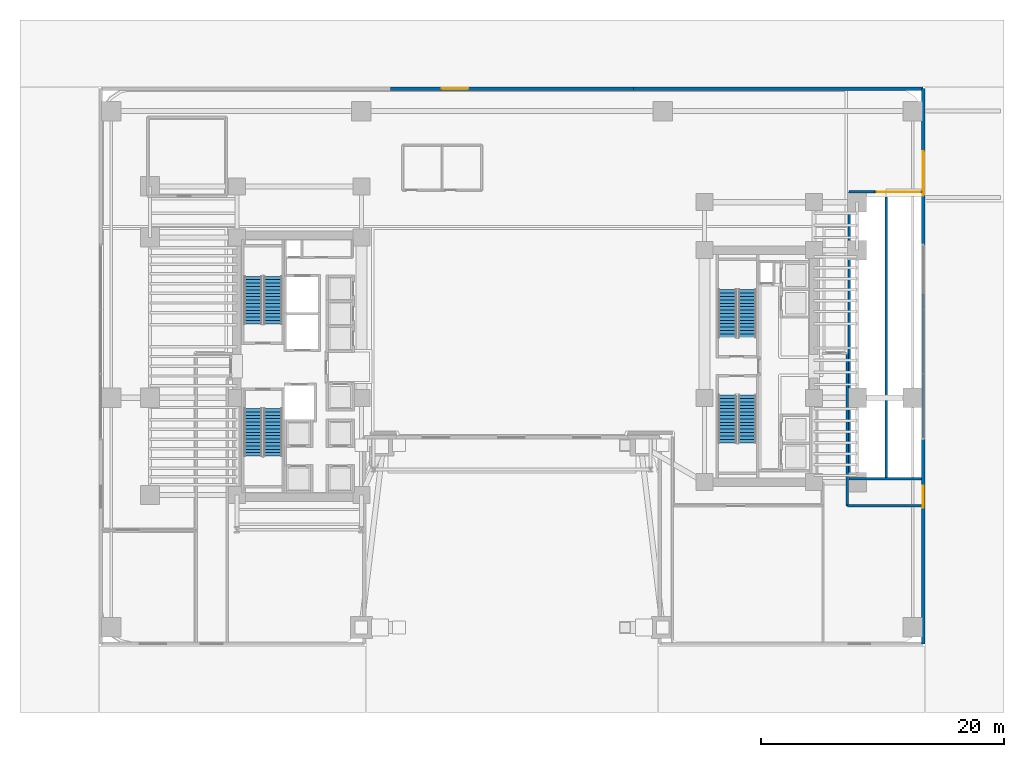
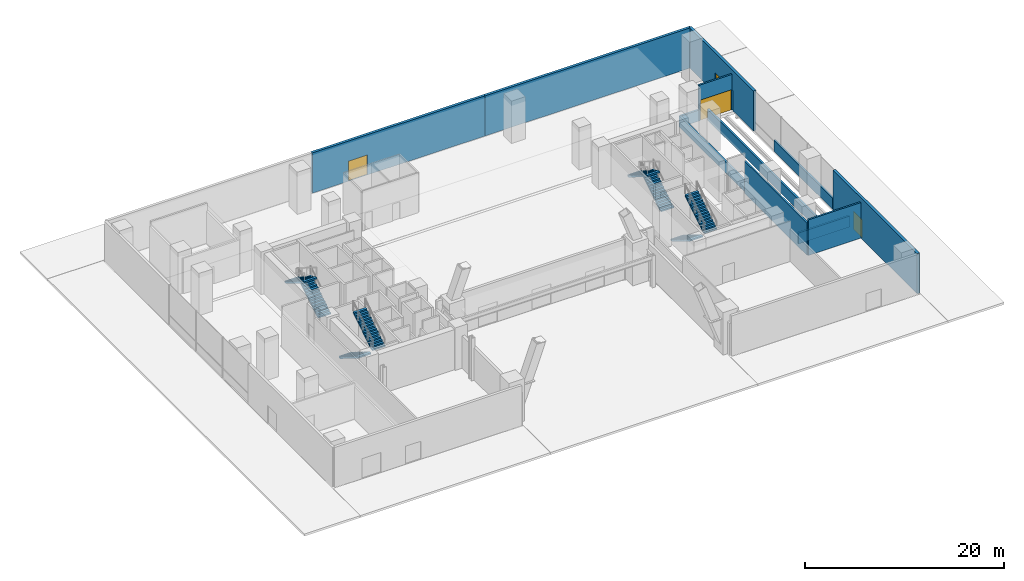
# One storey, part 19 of 27: 12 walls, 8 stair flights, 4 doors, 4 openings, 4 elements without a shape of their own.
"""IFC4 building model written with IfcOpenShell, lengths in metres."""

import ifcopenshell
import ifcopenshell.guid

model = None  # the IFC model being written
_history = None  # IfcOwnerHistory: only IFC2X3 demands one
_inside = {}  # id of a spatial element -> (the spatial element, [elements in it])
_under = {}  # id of a project, library or spatial element -> (it, [spatial elements below it])
_declared = {}  # id of a project -> (the project, [libraries it declares])
_typed = {}  # id of a type object -> (the type object, [elements of that type])
_made_of = {}  # id of a material, layer set ... -> (it, [elements and type objects made of it])


def new_model(schema):
    """Start an empty IFC model of exactly this schema.

    Asked for "IFC4X3", IfcOpenShell would pick the latest addendum, in which some entities
    have other attributes; the version numbers below select the first issue.
    IFC2X3 requires an IfcOwnerHistory on every rooted entity: one is made here for all.
    """
    global model, _history
    if schema == "IFC4X3":
        model = ifcopenshell.file(schema_version=(4, 3, 0, 0))
    else:
        model = ifcopenshell.file(schema=schema)
    _inside.clear()
    _under.clear()
    _declared.clear()
    _typed.clear()
    _made_of.clear()
    _history = None
    if model.schema == "IFC2X3":
        org = make("IfcOrganization", Name="unknown")
        user = make(
            "IfcPersonAndOrganization",
            ThePerson=make("IfcPerson", FamilyName="unknown"),
            TheOrganization=org,
        )
        app = make(
            "IfcApplication",
            ApplicationDeveloper=org,
            Version="unknown",
            ApplicationFullName="unknown",
            ApplicationIdentifier="unknown",
        )
        _history = make(
            "IfcOwnerHistory",
            OwningUser=user,
            OwningApplication=app,
            ChangeAction="ADDED",
            CreationDate=0,
        )
    return model


def make(cls, **values):
    """One entity of the class cls with the attributes given. An attribute that is None is left unset."""
    return model.create_entity(
        cls, **{name: value for name, value in values.items() if value is not None}
    )


def rooted(cls, **values):
    """An entity with a GlobalId (a new one), such as an element, a storey or a relation."""
    return make(cls, GlobalId=ifcopenshell.guid.new(), OwnerHistory=_history, **values)


def si_unit(unit_type, name, prefix=None):
    """IfcSIUnit, for example si_unit("LENGTHUNIT", "METRE", prefix="MILLI")."""
    return make("IfcSIUnit", UnitType=unit_type, Prefix=prefix, Name=name)


def assignment(units):
    """IfcUnitAssignment: the units of a project."""
    return None if units is None else make("IfcUnitAssignment", Units=units)


def point(xyz):
    """IfcCartesianPoint."""
    return None if xyz is None else make("IfcCartesianPoint", Coordinates=xyz)


def direction(xyz):
    """IfcDirection."""
    return None if xyz is None else make("IfcDirection", DirectionRatios=xyz)


def frame(location, z_axis=None, x_axis=None):
    """IfcAxis2Placement3D, a coordinate frame: its origin and axes. An axis left out is left unset."""
    return make(
        "IfcAxis2Placement3D",
        Location=point(location),
        Axis=direction(z_axis),
        RefDirection=direction(x_axis),
    )


def frame_2d(location, x_axis=None):
    """IfcAxis2Placement2D, a coordinate frame in the plane: its origin and x axis."""
    return make(
        "IfcAxis2Placement2D", Location=point(location), RefDirection=direction(x_axis)
    )


def origin():
    """The frame at (0, 0, 0) with its axes left unset."""
    return frame((0.0, 0.0, 0.0))


def place(relative_to, where):
    """IfcLocalPlacement: puts the frame where relative to a parent placement (None: the world)."""
    return make(
        "IfcLocalPlacement", PlacementRelTo=relative_to, RelativePlacement=where
    )


def context(
    kind, dimensions, precision=None, world=None, true_north=None, identifier=None
):
    """IfcGeometricRepresentationContext, for example the 3D "Model" context."""
    return make(
        "IfcGeometricRepresentationContext",
        ContextIdentifier=identifier,
        ContextType=kind,
        CoordinateSpaceDimension=dimensions,
        Precision=precision,
        WorldCoordinateSystem=world,
        TrueNorth=true_north,
    )


def subcontext(parent, identifier, kind, view, scale=None):
    """IfcGeometricRepresentationSubContext, for example "Body" below "Model"."""
    return make(
        "IfcGeometricRepresentationSubContext",
        ContextIdentifier=identifier,
        ContextType=kind,
        ParentContext=parent,
        TargetScale=scale,
        TargetView=view,
    )


def project(units=None, contexts=None):
    """IfcProject with its units and contexts."""
    return rooted(
        "IfcProject",
        Name="project",
        RepresentationContexts=contexts,
        UnitsInContext=assignment(units),
    )


def spatial(cls, under=None, at=None, **own):
    """A site, building, storey or space (cls), placed at a placement, below another one or the project."""
    s = rooted(cls, ObjectPlacement=at, **own)
    if under is not None:
        _under.setdefault(under.id(), (under, []))[1].append(s)
    return s


def polyline(points):
    """IfcPolyline through the points."""
    return make("IfcPolyline", Points=[point(p) for p in points])


def profile(cls, at=None, kind="AREA", **sizes):
    """A parametric profile (cls). Its sizes go by their IFC names, for example OverallWidth=200.0."""
    return make(cls, ProfileType=kind, Position=at, **sizes)


def rectangle(**sizes):
    """IfcRectangleProfileDef."""
    return profile("IfcRectangleProfileDef", **sizes)


def outline(outer, holes=None, kind="AREA"):
    """IfcArbitraryClosedProfileDef: a profile drawn as a closed curve; with holes, ...WithVoids."""
    if holes is None:
        return make("IfcArbitraryClosedProfileDef", ProfileType=kind, OuterCurve=outer)
    return make(
        "IfcArbitraryProfileDefWithVoids",
        ProfileType=kind,
        OuterCurve=outer,
        InnerCurves=holes,
    )


def extrude(swept, where, along, depth):
    """IfcExtrudedAreaSolid: the profile swept, set in the frame where, extruded along a direction by depth."""
    return make(
        "IfcExtrudedAreaSolid",
        SweptArea=swept,
        Position=where,
        ExtrudedDirection=direction(along),
        Depth=depth,
    )


def shape(context_of_items, identifier, shape_type, items):
    """IfcShapeRepresentation: the items that make up one representation, for example the "Body"."""
    return make(
        "IfcShapeRepresentation",
        ContextOfItems=context_of_items,
        RepresentationIdentifier=identifier,
        RepresentationType=shape_type,
        Items=items,
    )


def material(Name=None, Category=None):
    """IfcMaterial."""
    return make("IfcMaterial", Name=Name, Category=Category)


def layer(
    of_material, thickness, ventilated=None, Name=None, Category=None, Priority=None
):
    """IfcMaterialLayer: one layer of a wall or slab, of a material (None: an air gap)."""
    return make(
        "IfcMaterialLayer",
        Material=of_material,
        LayerThickness=thickness,
        IsVentilated=ventilated,
        Name=Name,
        Category=Category,
        Priority=Priority,
    )


def layer_set(layers, Name=None):
    """IfcMaterialLayerSet."""
    return make("IfcMaterialLayerSet", MaterialLayers=layers, LayerSetName=Name)


def made_of(thing, what):
    """Note that an element or type object is made of a material, layer set ...; save() writes the relation."""
    if what is not None:
        _made_of.setdefault(what.id(), (what, []))[1].append(thing)
    return thing


def type_object(cls, material=None, **own):
    """A type object (cls), such as IfcWallType, which elements share."""
    return made_of(rooted(cls, **own), material)


def element(
    cls,
    number,
    at=None,
    inside=None,
    cuts=None,
    type_object=None,
    material=None,
    context=None,
    identifier="Body",
    shape_type=None,
    held_by="IfcProductDefinitionShape",
    body=None,
    shapes=None,
    **own,
):
    """One element of the class cls, such as IfcWall. Its Tag is "e" and its number.

    at: its placement. inside: the storey or other place that contains it. cuts: it is an
    opening in that element (IfcRelVoidsElement). A single representation is given by context,
    identifier, shape_type and body (its items); several are given by shapes. held_by: the class
    of the entity that holds the representations. save() writes the other relations.
    """
    e = rooted(cls, Tag="e%d" % number, ObjectPlacement=at, **own)
    if body is not None:
        shapes = [shape(context, identifier, shape_type, body)]
    if shapes is not None:
        e.Representation = make(held_by, Representations=shapes)
    if inside is not None:
        _inside.setdefault(inside.id(), (inside, []))[1].append(e)
    if cuts is not None:
        rooted(
            "IfcRelVoidsElement", RelatingBuildingElement=cuts, RelatedOpeningElement=e
        )
    if type_object is not None:
        _typed.setdefault(type_object.id(), (type_object, []))[1].append(e)
    return made_of(e, material)


def fill(opening, filler):
    """IfcRelFillsElement: the door or window that sits in an opening."""
    return rooted(
        "IfcRelFillsElement",
        RelatingOpeningElement=opening,
        RelatedBuildingElement=filler,
    )


def aggregate(whole, parts):
    """IfcRelAggregates: a whole, such as a stair, and the parts it consists of."""
    return rooted("IfcRelAggregates", RelatingObject=whole, RelatedObjects=parts)


def save(model, path):
    """Write the relations noted so far, then the file.

    IfcRelAggregates (storeys below a building ...), IfcRelContainedInSpatialStructure (elements
    in a storey), IfcRelDefinesByType, IfcRelAssociatesMaterial and IfcRelDeclares: one each for
    every whole, place, type object, material and project.
    """
    for whole, parts in _under.values():
        aggregate(whole, parts)
    for where, things in _inside.values():
        rooted(
            "IfcRelContainedInSpatialStructure",
            RelatedElements=things,
            RelatingStructure=where,
        )
    for kind, things in _typed.values():
        rooted("IfcRelDefinesByType", RelatedObjects=things, RelatingType=kind)
    for what, things in _made_of.values():
        rooted("IfcRelAssociatesMaterial", RelatedObjects=things, RelatingMaterial=what)
    for by, libraries in _declared.values():
        rooted("IfcRelDeclares", RelatingContext=by, RelatedDefinitions=libraries)
    model.write(path)


model = new_model("IFC4")

# Units and contexts
model_context = context("Model", 3, precision=1e-05, world=origin(), true_north=direction((0.0, 1.0)))
body_context = subcontext(model_context, "Body", "Model", "MODEL_VIEW")
ifc_project = project(units=[si_unit("LENGTHUNIT", "METRE"), si_unit("AREAUNIT", "SQUARE_METRE"), si_unit("VOLUMEUNIT", "CUBIC_METRE"), si_unit("PLANEANGLEUNIT", "RADIAN"), si_unit("MASSUNIT", "GRAM", prefix="KILO")], contexts=[model_context])

# Site, building, storey
site_placement = place(None, origin())
site = spatial("IfcSite", under=ifc_project, at=site_placement, CompositionType="ELEMENT")
building_placement = place(site_placement, origin())
building = spatial("IfcBuilding", under=site, at=building_placement, Name="Valdorenza Pilgrim Sanctuary Tower", CompositionType="ELEMENT")
storey_placement = place(building_placement, origin())
storey = spatial("IfcBuildingStorey", under=building, at=storey_placement, Name="L00", CompositionType="ELEMENT", Elevation=0.0)

# Wall, opening, door
ifc_material_1 = material(Name="Honed travertine limestone", Category="masonry")
ifc_layer_1 = layer(ifc_material_1, 0.300048828125, Name="Honed travertine limestone")
ifc_layer_set_1 = layer_set([ifc_layer_1], Name="Honed travertine limestone")
wall_type_1 = type_object("IfcWallType", Name="WAL-EXT-300", PredefinedType="SOLIDWALL", material=ifc_layer_set_1)
wall_1_placement = place(storey_placement, frame((33.85009765625, -22.85009765625, 0.0), z_axis=(0.0, 0.0, 1.0), x_axis=(0.0, 1.0, 0.0)))
wall_1 = element("IfcWall", 1, at=wall_1_placement, inside=storey, type_object=wall_type_1, Name="L00 Podium Honed Travertine Stone Wall E-S", PredefinedType="SOLIDWALL", context=body_context, shape_type="SweptSolid", body=[
    extrude(rectangle(XDim=16.8701171875, YDim=0.300048828125, at=frame_2d((8.43505859375, 0.0))), origin(), (0.0, 0.0, 1.0), 4.919921875),
])
opening_1_placement = place(wall_1_placement, frame((11.199951171875, 0.0, 0.0)))
opening_1 = element("IfcOpeningElement", 2, at=opening_1_placement, cuts=wall_1, Name="Opening D-EXP-01", PredefinedType="OPENING", context=body_context, shape_type="SweptSolid", body=[
    extrude(rectangle(XDim=1.800048828125, YDim=2.199951171875, at=frame_2d((0.89990234375, 1.10009765625))), frame((0.0, 0.1650390625, 0.0), z_axis=(0.0, -1.0, 0.0), x_axis=(1.0, 0.0, 0.0)), (0.0, 0.0, 1.0), 0.329833984375),
])
ifc_material_2 = material(Name="Painted galvanized steel", Category="steel")
door_type_1 = type_object("IfcDoorType", Name="DR-EXT-ESC-1800", OperationType="NOTDEFINED", PredefinedType="DOOR", material=ifc_material_2)
door_1_placement = place(opening_1_placement, frame((1.800048828125, 0.0, 0.0), z_axis=(0.0, 0.0, 1.0), x_axis=(-1.0, 0.0, 0.0)))
door_1 = element("IfcDoor", 3, at=door_1_placement, inside=storey, type_object=door_type_1, Name="L00 East Concourse Final Exit Door", OperationType="SINGLE_SWING_LEFT", OverallHeight=2.199951171875, OverallWidth=1.800048828125, PredefinedType="DOOR", context=body_context, shape_type="SweptSolid", body=[
    extrude(rectangle(XDim=1.800048828125, YDim=2.199951171875, at=frame_2d((0.89990234375, 1.10009765625))), frame((0.0, 0.02490234375, 0.0), z_axis=(0.0, -1.0, 0.0), x_axis=(1.0, 0.0, 0.0)), (0.0, 0.0, 1.0), 0.050048828125),
])
fill(opening_1, door_1)

wall_2_placement = place(storey_placement, frame((33.85009765625, 9.97998046875, 0.0), z_axis=(0.0, 0.0, 1.0), x_axis=(0.0, 1.0, 0.0)))
wall_2 = element("IfcWall", 4, at=wall_2_placement, inside=storey, type_object=wall_type_1, Name="L00 Podium Honed Travertine Stone Wall E-N", PredefinedType="SOLIDWALL", context=body_context, shape_type="SweptSolid", body=[
    extrude(rectangle(XDim=12.8701171875, YDim=0.300048828125, at=frame_2d((6.43505859375, 0.0))), origin(), (0.0, 0.0, 1.0), 4.919921875),
])
opening_2_placement = place(wall_2_placement, frame((4.10009765625, 0.0, 0.0)))
opening_2 = element("IfcOpeningElement", 5, at=opening_2_placement, cuts=wall_2, Name="Opening VG-01", PredefinedType="OPENING", context=body_context, shape_type="SweptSolid", body=[
    extrude(rectangle(XDim=3.60009765625, YDim=2.5, at=frame_2d((1.800048828125, 1.25))), frame((0.0, 0.1650390625, 0.0), z_axis=(0.0, -1.0, 0.0), x_axis=(1.0, 0.0, 0.0)), (0.0, 0.0, 1.0), 0.329833984375),
])
ifc_material_3 = material(Name="Champagne anodised aluminium", Category="aluminium")
door_type_2 = type_object("IfcDoorType", Name="DR-VEH-GATE", OperationType="ROLLINGUP", PredefinedType="GATE", material=ifc_material_3)
door_2_placement = place(opening_2_placement, origin())
door_2 = element("IfcDoor", 6, at=door_2_placement, inside=storey, type_object=door_type_2, Name="L00 Car Park Ramp Roller Gate VG-01", OperationType="ROLLINGUP", OverallHeight=2.5, OverallWidth=3.60009765625, PredefinedType="GATE", context=body_context, shape_type="SweptSolid", body=[
    extrude(rectangle(XDim=3.60009765625, YDim=2.5, at=frame_2d((1.800048828125, 1.25))), frame((0.0, 0.02490234375, 0.0), z_axis=(0.0, -1.0, 0.0), x_axis=(1.0, 0.0, 0.0)), (0.0, 0.0, 1.0), 0.050048828125),
])
fill(opening_2, door_2)

# Wall
wall_3_placement = place(storey_placement, frame((9.97998046875, 22.85009765625, 0.0), z_axis=(0.0, 0.0, 1.0), x_axis=(1.0, 0.0, 0.0)))
element("IfcWall", 7, at=wall_3_placement, inside=storey, type_object=wall_type_1, Name="L00 Podium Honed Travertine Stone Wall N-E", PredefinedType="SOLIDWALL", context=body_context, shape_type="SweptSolid", body=[
    extrude(rectangle(XDim=23.8701171875, YDim=0.300048828125, at=frame_2d((11.93505859375, 0.0))), origin(), (0.0, 0.0, 1.0), 4.919921875),
])

# Wall, opening, door
wall_4_placement = place(storey_placement, frame((-10.0, 22.85009765625, 0.0), z_axis=(0.0, 0.0, 1.0), x_axis=(1.0, 0.0, 0.0)))
wall_4 = element("IfcWall", 8, at=wall_4_placement, inside=storey, type_object=wall_type_1, Name="L00 North Plaza Entrance Stone Wall", PredefinedType="SOLIDWALL", context=body_context, shape_type="SweptSolid", body=[
    extrude(rectangle(XDim=20.0, YDim=0.300048828125, at=frame_2d((10.0, 0.0))), origin(), (0.0, 0.0, 1.0), 4.919921875),
])
opening_3_placement = place(wall_4_placement, frame((4.199951171875, 0.0, 0.0)))
opening_3 = element("IfcOpeningElement", 9, at=opening_3_placement, cuts=wall_4, Name="Opening D-LOB-N-MID-1", PredefinedType="OPENING", context=body_context, shape_type="SweptSolid", body=[
    extrude(rectangle(XDim=2.199951171875, YDim=2.449951171875, at=frame_2d((1.10009765625, 1.22509765625))), frame((0.0, 0.1650390625, 0.0), z_axis=(0.0, -1.0, 0.0), x_axis=(1.0, 0.0, 0.0)), (0.0, 0.0, 1.0), 0.329833984375),
])
ifc_material_4 = material(Name="Champagne anodised aluminium and glass", Category="aluminium")
door_type_3 = type_object("IfcDoorType", Name="DR-EXT-DBL-2200", OperationType="NOTDEFINED", PredefinedType="DOOR", material=ifc_material_4)
door_3_placement = place(opening_3_placement, origin())
door_3 = element("IfcDoor", 10, at=door_3_placement, inside=storey, type_object=door_type_3, Name="L00 North Concourse Entrance Door", OperationType="SINGLE_SWING_LEFT", OverallHeight=2.449951171875, OverallWidth=2.199951171875, PredefinedType="DOOR", context=body_context, shape_type="SweptSolid", body=[
    extrude(rectangle(XDim=2.199951171875, YDim=2.449951171875, at=frame_2d((1.10009765625, 1.22509765625))), frame((0.0, 0.02490234375, 0.0), z_axis=(0.0, -1.0, 0.0), x_axis=(1.0, 0.0, 0.0)), (0.0, 0.0, 1.0), 0.050048828125),
])
fill(opening_3, door_3)

# Walls
ifc_material_5 = material(Name="Gypsum shaftwall partition", Category="gypsum")
ifc_layer_2 = layer(ifc_material_5, 0.199951171875, Name="Gypsum shaftwall partition")
ifc_layer_set_2 = layer_set([ifc_layer_2], Name="Gypsum shaftwall partition")
wall_type_2 = type_object("IfcWallType", Name="WAL-FFL-200", PredefinedType="PARTITIONING", material=ifc_layer_set_2)
wall_5_placement = place(storey_placement, frame((27.60009765625, -11.5, 0.0), z_axis=(0.0, 0.0, 1.0), x_axis=(0.0, 1.0, 0.0)))
element("IfcWall", 11, at=wall_5_placement, inside=storey, type_object=wall_type_2, Name="L00 Core B Protected Exit Passage Inner East Wall", PredefinedType="PARTITIONING", context=body_context, shape_type="SweptSolid", body=[
    extrude(rectangle(XDim=12.550048828125, YDim=0.199951171875, at=frame_2d((6.27490234375, 0.0))), origin(), (0.0, 0.0, 1.0), 3.95703125),
])
wall_6_placement = place(storey_placement, frame((27.60009765625, -11.5, 0.0), z_axis=(0.0, 0.0, 1.0), x_axis=(1.0, 0.0, 0.0)))
element("IfcWall", 12, at=wall_6_placement, inside=storey, type_object=wall_type_2, Name="L00 Core B Protected Exit Passage South-East Shoulder Wall", PredefinedType="PARTITIONING", context=body_context, shape_type="SweptSolid", body=[
    extrude(rectangle(XDim=6.199951171875, YDim=0.199951171875, at=frame_2d((3.10009765625, 0.0))), origin(), (0.0, 0.0, 1.0), 4.35595703125),
])
ifc_layer_3 = layer(ifc_material_1, 0.25, Name="Honed travertine limestone")
ifc_layer_set_3 = layer_set([ifc_layer_3], Name="Honed travertine limestone")
wall_type_3 = type_object("IfcWallType", Name="WAL-PAR-250", PredefinedType="PARAPET", material=ifc_layer_set_3)
wall_7_placement = place(storey_placement, frame((27.75, -9.25, 0.0), z_axis=(0.0, 0.0, 1.0), x_axis=(0.0, 1.0, 0.0)))
element("IfcWall", 13, at=wall_7_placement, inside=storey, type_object=wall_type_3, Name="L00 Vehicle Ramp Shaft Safety Wall W", PredefinedType="PARAPET", context=body_context, shape_type="SweptSolid", body=[
    extrude(rectangle(XDim=23.60009765625, YDim=0.219970703125, at=frame_2d((11.800048828125, 0.0))), origin(), (0.0, 0.0, 1.0), 1.35009765625),
])
wall_8_placement = place(storey_placement, frame((33.85009765625, -5.85009765625, 0.0), z_axis=(0.0, 0.0, 1.0), x_axis=(0.0, 1.0, 0.0)))
element("IfcWall", 14, at=wall_8_placement, inside=storey, type_object=wall_type_3, Name="L00 Vehicle Ramp Shaft Safety Wall E", PredefinedType="PARAPET", context=body_context, shape_type="SweptSolid", body=[
    extrude(rectangle(XDim=11.800048828125, YDim=0.219970703125, at=frame_2d((5.89990234375, 0.0))), origin(), (0.0, 0.0, 1.0), 1.35009765625),
])
wall_9_placement = place(storey_placement, frame((27.75, -9.25, 0.0), z_axis=(0.0, 0.0, 1.0), x_axis=(1.0, 0.0, 0.0)))
element("IfcWall", 15, at=wall_9_placement, inside=storey, type_object=wall_type_3, Name="L00 Vehicle Ramp Shaft Safety Wall S", PredefinedType="PARAPET", context=body_context, shape_type="SweptSolid", body=[
    extrude(rectangle(XDim=5.949951171875, YDim=0.219970703125, at=frame_2d((2.97509765625, 0.0))), origin(), (0.0, 0.0, 1.0), 1.35009765625),
])
wall_10_placement = place(storey_placement, frame((27.75, 14.35009765625, 0.0), z_axis=(0.0, 0.0, 1.0), x_axis=(1.0, 0.0, 0.0)))
element("IfcWall", 16, at=wall_10_placement, inside=storey, type_object=wall_type_3, Name="L00 Vehicle Ramp Shaft Safety Wall NW", PredefinedType="PARAPET", context=body_context, shape_type="SweptSolid", body=[
    extrude(rectangle(XDim=2.10009765625, YDim=0.219970703125, at=frame_2d((1.050048828125, 0.0))), origin(), (0.0, 0.0, 1.0), 1.35009765625),
])
wall_11_placement = place(storey_placement, frame((30.800048828125, -9.25, 0.0), z_axis=(0.0, 0.0, 1.0), x_axis=(0.0, 1.0, 0.0)))
element("IfcWall", 17, at=wall_11_placement, inside=storey, type_object=wall_type_3, Name="L00 Vehicle Ramp Shaft Safety Wall MID", PredefinedType="PARAPET", context=body_context, shape_type="SweptSolid", body=[
    extrude(rectangle(XDim=23.199951171875, YDim=0.219970703125, at=frame_2d((11.60009765625, 0.0))), origin(), (0.0, 0.0, 1.0), 1.35009765625),
])

# Wall, opening, door
ifc_material_6 = material(Name="Autoclaved aerated concrete blockwork", Category="masonry")
ifc_layer_4 = layer(ifc_material_6, 0.199951171875, Name="Autoclaved aerated concrete blockwork")
ifc_layer_set_4 = layer_set([ifc_layer_4], Name="Autoclaved aerated concrete blockwork")
wall_type_4 = type_object("IfcWallType", Name="WAL-SHF-200", PredefinedType="MOVABLE", material=ifc_layer_set_4)
wall_12_placement = place(storey_placement, frame((29.85009765625, 14.35009765625, 0.0), z_axis=(0.0, 0.0, 1.0), x_axis=(1.0, 0.0, 0.0)))
wall_12 = element("IfcWall", 18, at=wall_12_placement, inside=storey, type_object=wall_type_4, Name="L00 L00 Car Park Ramp Arrival Portal Wall", PredefinedType="MOVABLE", context=body_context, shape_type="SweptSolid", body=[
    extrude(rectangle(XDim=3.949951171875, YDim=0.199951171875, at=frame_2d((1.97509765625, 0.0))), origin(), (0.0, 0.0, 1.0), 4.35595703125),
])
opening_4_placement = place(wall_12_placement, frame((0.175048828125, 0.0, 0.0)))
opening_4 = element("IfcOpeningElement", 19, at=opening_4_placement, cuts=wall_12, Name="Opening VG-01", PredefinedType="OPENING", context=body_context, shape_type="SweptSolid", body=[
    extrude(rectangle(XDim=3.60009765625, YDim=2.5, at=frame_2d((1.800048828125, 1.25))), frame((0.0, 0.11474609375, 0.0), z_axis=(0.0, -1.0, 0.0), x_axis=(1.0, 0.0, 0.0)), (0.0, 0.0, 1.0), 0.229736328125),
])
door_4_placement = place(opening_4_placement, origin())
door_4 = element("IfcDoor", 20, at=door_4_placement, inside=storey, type_object=door_type_2, Name="L00 Car Park Ramp Arrival Portal Gate VG-01", OperationType="ROLLINGUP", OverallHeight=2.5, OverallWidth=3.60009765625, PredefinedType="GATE", context=body_context, shape_type="SweptSolid", body=[
    extrude(rectangle(XDim=3.60009765625, YDim=2.5, at=frame_2d((1.800048828125, 1.25))), frame((0.0, 0.02490234375, 0.0), z_axis=(0.0, -1.0, 0.0), x_axis=(1.0, 0.0, 0.0)), (0.0, 0.0, 1.0), 0.050048828125),
])
fill(opening_4, door_4)

# Stair, stair flights
ifc_material_7 = material(Name="Concrete C40/50", Category="concrete")
stair_type = type_object("IfcStairType", Name="STR-DOG-CORE", PredefinedType="HALF_TURN_STAIR", material=ifc_material_7)
stair_1_placement = place(storey_placement, origin())
stair_1 = element("IfcStair", 21, at=stair_1_placement, inside=storey, type_object=stair_type, Name="L00 ST-A1", PredefinedType="HALF_TURN_STAIR")
stair_flight_type = type_object("IfcStairFlightType", Name="STF-RC-1400", PredefinedType="STRAIGHT", material=ifc_material_7)
stair_flight_1_placement = place(storey_placement, frame((-19.679931640625, 3.47998046875, 0.0), z_axis=(0.0, 0.0, 1.0), x_axis=(0.0, 1.0, 0.0)))
stair_flight_1 = element("IfcStairFlight", 22, at=stair_flight_1_placement, type_object=stair_flight_type, Name="ST-A1 flight 1", NumberOfRisers=15, NumberOfTreads=14, PredefinedType="STRAIGHT", RiserHeight=0.173333333, TreadLength=0.28, context=body_context, shape_type="SweptSolid", body=[
    extrude(outline(polyline([(0.0, 0.0), (0.0, 0.17333984375), (0.280029296875, 0.17333984375), (0.280029296875, 0.3466796875), (0.56005859375, 0.3466796875), (0.56005859375, 0.52001953125), (0.840087890625, 0.52001953125), (0.840087890625, 0.693359375), (1.1201171875, 0.693359375), (1.1201171875, 0.86669921875), (1.39990234375, 0.86669921875), (1.39990234375, 1.0400390625), (1.679931640625, 1.0400390625), (1.679931640625, 1.21337890625), (1.9599609375, 1.21337890625), (1.9599609375, 1.38671875), (2.239990234375, 1.38671875), (2.239990234375, 1.56005859375), (2.52001953125, 1.56005859375), (2.52001953125, 1.7333984375), (2.800048828125, 1.7333984375), (2.800048828125, 1.90673828125), (3.080078125, 1.90673828125), (3.080078125, 2.080078125), (3.360107421875, 2.080078125), (3.360107421875, 2.25341796875), (3.639892578125, 2.25341796875), (3.639892578125, 2.4267578125), (3.919921875, 2.4267578125), (3.919921875, 2.60009765625), (3.919921875, 2.250244140625), (0.284912109375, 0.0), (0.0, 0.0)])), frame((0.0, 0.739990234375, 0.0), z_axis=(0.0, -1.0, 0.0), x_axis=(1.0, 0.0, 0.0)), (0.0, 0.0, 1.0), 1.47998046875),
])
stair_flight_2_placement = place(storey_placement, frame((-21.31005859375, 7.39990234375, 2.60009765625), z_axis=(0.0, 0.0, 1.0), x_axis=(0.0, -1.0, 0.0)))
stair_flight_2 = element("IfcStairFlight", 23, at=stair_flight_2_placement, type_object=stair_flight_type, Name="ST-A1 flight 2", NumberOfRisers=15, NumberOfTreads=14, PredefinedType="STRAIGHT", RiserHeight=0.173333333, TreadLength=0.28, context=body_context, shape_type="SweptSolid", body=[
    extrude(outline(polyline([(0.0, 0.0), (0.0, 0.17333984375), (0.280029296875, 0.17333984375), (0.280029296875, 0.3466796875), (0.56005859375, 0.3466796875), (0.56005859375, 0.52001953125), (0.840087890625, 0.52001953125), (0.840087890625, 0.693359375), (1.1201171875, 0.693359375), (1.1201171875, 0.86669921875), (1.39990234375, 0.86669921875), (1.39990234375, 1.0400390625), (1.679931640625, 1.0400390625), (1.679931640625, 1.21337890625), (1.9599609375, 1.21337890625), (1.9599609375, 1.38671875), (2.239990234375, 1.38671875), (2.239990234375, 1.56005859375), (2.52001953125, 1.56005859375), (2.52001953125, 1.7333984375), (2.800048828125, 1.7333984375), (2.800048828125, 1.90673828125), (3.080078125, 1.90673828125), (3.080078125, 2.080078125), (3.360107421875, 2.080078125), (3.360107421875, 2.25341796875), (3.639892578125, 2.25341796875), (3.639892578125, 2.4267578125), (3.919921875, 2.4267578125), (3.919921875, 2.60009765625), (3.919921875, 2.250244140625), (0.284912109375, 0.0), (0.0, 0.0)])), frame((0.0, 0.739990234375, 0.0), z_axis=(0.0, -1.0, 0.0), x_axis=(1.0, 0.0, 0.0)), (0.0, 0.0, 1.0), 1.47998046875),
])
aggregate(stair_1, [stair_flight_1, stair_flight_2])

stair_2_placement = place(storey_placement, origin())
stair_2 = element("IfcStair", 24, at=stair_2_placement, inside=storey, type_object=stair_type, Name="L00 ST-A2", PredefinedType="HALF_TURN_STAIR")
stair_flight_3_placement = place(storey_placement, frame((-21.31005859375, -3.47998046875, 0.0), z_axis=(0.0, 0.0, 1.0), x_axis=(0.0, -1.0, 0.0)))
stair_flight_3 = element("IfcStairFlight", 25, at=stair_flight_3_placement, type_object=stair_flight_type, Name="ST-A2 flight 1", NumberOfRisers=15, NumberOfTreads=14, PredefinedType="STRAIGHT", RiserHeight=0.173333333, TreadLength=0.28, context=body_context, shape_type="SweptSolid", body=[
    extrude(outline(polyline([(0.0, 0.0), (0.0, 0.17333984375), (0.280029296875, 0.17333984375), (0.280029296875, 0.3466796875), (0.56005859375, 0.3466796875), (0.56005859375, 0.52001953125), (0.840087890625, 0.52001953125), (0.840087890625, 0.693359375), (1.1201171875, 0.693359375), (1.1201171875, 0.86669921875), (1.39990234375, 0.86669921875), (1.39990234375, 1.0400390625), (1.679931640625, 1.0400390625), (1.679931640625, 1.21337890625), (1.9599609375, 1.21337890625), (1.9599609375, 1.38671875), (2.239990234375, 1.38671875), (2.239990234375, 1.56005859375), (2.52001953125, 1.56005859375), (2.52001953125, 1.7333984375), (2.800048828125, 1.7333984375), (2.800048828125, 1.90673828125), (3.080078125, 1.90673828125), (3.080078125, 2.080078125), (3.360107421875, 2.080078125), (3.360107421875, 2.25341796875), (3.639892578125, 2.25341796875), (3.639892578125, 2.4267578125), (3.919921875, 2.4267578125), (3.919921875, 2.60009765625), (3.919921875, 2.250244140625), (0.284912109375, 0.0), (0.0, 0.0)])), frame((0.0, 0.739990234375, 0.0), z_axis=(0.0, -1.0, 0.0), x_axis=(1.0, 0.0, 0.0)), (0.0, 0.0, 1.0), 1.47998046875),
])
stair_flight_4_placement = place(storey_placement, frame((-19.679931640625, -7.39990234375, 2.60009765625), z_axis=(0.0, 0.0, 1.0), x_axis=(0.0, 1.0, 0.0)))
stair_flight_4 = element("IfcStairFlight", 26, at=stair_flight_4_placement, type_object=stair_flight_type, Name="ST-A2 flight 2", NumberOfRisers=15, NumberOfTreads=14, PredefinedType="STRAIGHT", RiserHeight=0.173333333, TreadLength=0.28, context=body_context, shape_type="SweptSolid", body=[
    extrude(outline(polyline([(0.0, 0.0), (0.0, 0.17333984375), (0.280029296875, 0.17333984375), (0.280029296875, 0.3466796875), (0.56005859375, 0.3466796875), (0.56005859375, 0.52001953125), (0.840087890625, 0.52001953125), (0.840087890625, 0.693359375), (1.1201171875, 0.693359375), (1.1201171875, 0.86669921875), (1.39990234375, 0.86669921875), (1.39990234375, 1.0400390625), (1.679931640625, 1.0400390625), (1.679931640625, 1.21337890625), (1.9599609375, 1.21337890625), (1.9599609375, 1.38671875), (2.239990234375, 1.38671875), (2.239990234375, 1.56005859375), (2.52001953125, 1.56005859375), (2.52001953125, 1.7333984375), (2.800048828125, 1.7333984375), (2.800048828125, 1.90673828125), (3.080078125, 1.90673828125), (3.080078125, 2.080078125), (3.360107421875, 2.080078125), (3.360107421875, 2.25341796875), (3.639892578125, 2.25341796875), (3.639892578125, 2.4267578125), (3.919921875, 2.4267578125), (3.919921875, 2.60009765625), (3.919921875, 2.250244140625), (0.284912109375, 0.0), (0.0, 0.0)])), frame((0.0, 0.739990234375, 0.0), z_axis=(0.0, -1.0, 0.0), x_axis=(1.0, 0.0, 0.0)), (0.0, 0.0, 1.0), 1.47998046875),
])
aggregate(stair_2, [stair_flight_3, stair_flight_4])

stair_3_placement = place(storey_placement, origin())
stair_3 = element("IfcStair", 27, at=stair_3_placement, inside=storey, type_object=stair_type, Name="L00 ST-B1", PredefinedType="HALF_TURN_STAIR")
stair_flight_5_placement = place(storey_placement, frame((19.3701171875, 2.3798828125, 0.0), z_axis=(0.0, 0.0, 1.0), x_axis=(0.0, 1.0, 0.0)))
stair_flight_5 = element("IfcStairFlight", 28, at=stair_flight_5_placement, type_object=stair_flight_type, Name="ST-B1 flight 1", NumberOfRisers=15, NumberOfTreads=14, PredefinedType="STRAIGHT", RiserHeight=0.173333333, TreadLength=0.28, context=body_context, shape_type="SweptSolid", body=[
    extrude(outline(polyline([(0.0, 0.0), (0.0, 0.17333984375), (0.280029296875, 0.17333984375), (0.280029296875, 0.3466796875), (0.56005859375, 0.3466796875), (0.56005859375, 0.52001953125), (0.840087890625, 0.52001953125), (0.840087890625, 0.693359375), (1.1201171875, 0.693359375), (1.1201171875, 0.86669921875), (1.39990234375, 0.86669921875), (1.39990234375, 1.0400390625), (1.679931640625, 1.0400390625), (1.679931640625, 1.21337890625), (1.9599609375, 1.21337890625), (1.9599609375, 1.38671875), (2.239990234375, 1.38671875), (2.239990234375, 1.56005859375), (2.52001953125, 1.56005859375), (2.52001953125, 1.7333984375), (2.800048828125, 1.7333984375), (2.800048828125, 1.90673828125), (3.080078125, 1.90673828125), (3.080078125, 2.080078125), (3.360107421875, 2.080078125), (3.360107421875, 2.25341796875), (3.639892578125, 2.25341796875), (3.639892578125, 2.4267578125), (3.919921875, 2.4267578125), (3.919921875, 2.60009765625), (3.919921875, 2.250244140625), (0.284912109375, 0.0), (0.0, 0.0)])), frame((0.0, 0.739990234375, 0.0), z_axis=(0.0, -1.0, 0.0), x_axis=(1.0, 0.0, 0.0)), (0.0, 0.0, 1.0), 1.47998046875),
])
stair_flight_6_placement = place(storey_placement, frame((17.739990234375, 6.300048828125, 2.60009765625), z_axis=(0.0, 0.0, 1.0), x_axis=(0.0, -1.0, 0.0)))
stair_flight_6 = element("IfcStairFlight", 29, at=stair_flight_6_placement, type_object=stair_flight_type, Name="ST-B1 flight 2", NumberOfRisers=15, NumberOfTreads=14, PredefinedType="STRAIGHT", RiserHeight=0.173333333, TreadLength=0.28, context=body_context, shape_type="SweptSolid", body=[
    extrude(outline(polyline([(0.0, 0.0), (0.0, 0.17333984375), (0.280029296875, 0.17333984375), (0.280029296875, 0.3466796875), (0.56005859375, 0.3466796875), (0.56005859375, 0.52001953125), (0.840087890625, 0.52001953125), (0.840087890625, 0.693359375), (1.1201171875, 0.693359375), (1.1201171875, 0.86669921875), (1.39990234375, 0.86669921875), (1.39990234375, 1.0400390625), (1.679931640625, 1.0400390625), (1.679931640625, 1.21337890625), (1.9599609375, 1.21337890625), (1.9599609375, 1.38671875), (2.239990234375, 1.38671875), (2.239990234375, 1.56005859375), (2.52001953125, 1.56005859375), (2.52001953125, 1.7333984375), (2.800048828125, 1.7333984375), (2.800048828125, 1.90673828125), (3.080078125, 1.90673828125), (3.080078125, 2.080078125), (3.360107421875, 2.080078125), (3.360107421875, 2.25341796875), (3.639892578125, 2.25341796875), (3.639892578125, 2.4267578125), (3.919921875, 2.4267578125), (3.919921875, 2.60009765625), (3.919921875, 2.250244140625), (0.284912109375, 0.0), (0.0, 0.0)])), frame((0.0, 0.739990234375, 0.0), z_axis=(0.0, -1.0, 0.0), x_axis=(1.0, 0.0, 0.0)), (0.0, 0.0, 1.0), 1.47998046875),
])
aggregate(stair_3, [stair_flight_5, stair_flight_6])

stair_4_placement = place(storey_placement, origin())
stair_4 = element("IfcStair", 30, at=stair_4_placement, inside=storey, type_object=stair_type, Name="L00 ST-B2", PredefinedType="HALF_TURN_STAIR")
stair_flight_7_placement = place(storey_placement, frame((17.739990234375, -2.3798828125, 0.0), z_axis=(0.0, 0.0, 1.0), x_axis=(0.0, -1.0, 0.0)))
stair_flight_7 = element("IfcStairFlight", 31, at=stair_flight_7_placement, type_object=stair_flight_type, Name="ST-B2 flight 1", NumberOfRisers=15, NumberOfTreads=14, PredefinedType="STRAIGHT", RiserHeight=0.173333333, TreadLength=0.28, context=body_context, shape_type="SweptSolid", body=[
    extrude(outline(polyline([(0.0, 0.0), (0.0, 0.17333984375), (0.280029296875, 0.17333984375), (0.280029296875, 0.3466796875), (0.56005859375, 0.3466796875), (0.56005859375, 0.52001953125), (0.840087890625, 0.52001953125), (0.840087890625, 0.693359375), (1.1201171875, 0.693359375), (1.1201171875, 0.86669921875), (1.39990234375, 0.86669921875), (1.39990234375, 1.0400390625), (1.679931640625, 1.0400390625), (1.679931640625, 1.21337890625), (1.9599609375, 1.21337890625), (1.9599609375, 1.38671875), (2.239990234375, 1.38671875), (2.239990234375, 1.56005859375), (2.52001953125, 1.56005859375), (2.52001953125, 1.7333984375), (2.800048828125, 1.7333984375), (2.800048828125, 1.90673828125), (3.080078125, 1.90673828125), (3.080078125, 2.080078125), (3.360107421875, 2.080078125), (3.360107421875, 2.25341796875), (3.639892578125, 2.25341796875), (3.639892578125, 2.4267578125), (3.919921875, 2.4267578125), (3.919921875, 2.60009765625), (3.919921875, 2.250244140625), (0.284912109375, 0.0), (0.0, 0.0)])), frame((0.0, 0.739990234375, 0.0), z_axis=(0.0, -1.0, 0.0), x_axis=(1.0, 0.0, 0.0)), (0.0, 0.0, 1.0), 1.47998046875),
])
stair_flight_8_placement = place(storey_placement, frame((19.3701171875, -6.300048828125, 2.60009765625), z_axis=(0.0, 0.0, 1.0), x_axis=(0.0, 1.0, 0.0)))
stair_flight_8 = element("IfcStairFlight", 32, at=stair_flight_8_placement, type_object=stair_flight_type, Name="ST-B2 flight 2", NumberOfRisers=15, NumberOfTreads=14, PredefinedType="STRAIGHT", RiserHeight=0.173333333, TreadLength=0.28, context=body_context, shape_type="SweptSolid", body=[
    extrude(outline(polyline([(0.0, 0.0), (0.0, 0.17333984375), (0.280029296875, 0.17333984375), (0.280029296875, 0.3466796875), (0.56005859375, 0.3466796875), (0.56005859375, 0.52001953125), (0.840087890625, 0.52001953125), (0.840087890625, 0.693359375), (1.1201171875, 0.693359375), (1.1201171875, 0.86669921875), (1.39990234375, 0.86669921875), (1.39990234375, 1.0400390625), (1.679931640625, 1.0400390625), (1.679931640625, 1.21337890625), (1.9599609375, 1.21337890625), (1.9599609375, 1.38671875), (2.239990234375, 1.38671875), (2.239990234375, 1.56005859375), (2.52001953125, 1.56005859375), (2.52001953125, 1.7333984375), (2.800048828125, 1.7333984375), (2.800048828125, 1.90673828125), (3.080078125, 1.90673828125), (3.080078125, 2.080078125), (3.360107421875, 2.080078125), (3.360107421875, 2.25341796875), (3.639892578125, 2.25341796875), (3.639892578125, 2.4267578125), (3.919921875, 2.4267578125), (3.919921875, 2.60009765625), (3.919921875, 2.250244140625), (0.284912109375, 0.0), (0.0, 0.0)])), frame((0.0, 0.739990234375, 0.0), z_axis=(0.0, -1.0, 0.0), x_axis=(1.0, 0.0, 0.0)), (0.0, 0.0, 1.0), 1.47998046875),
])
aggregate(stair_4, [stair_flight_7, stair_flight_8])

save(model, "model.ifc")
